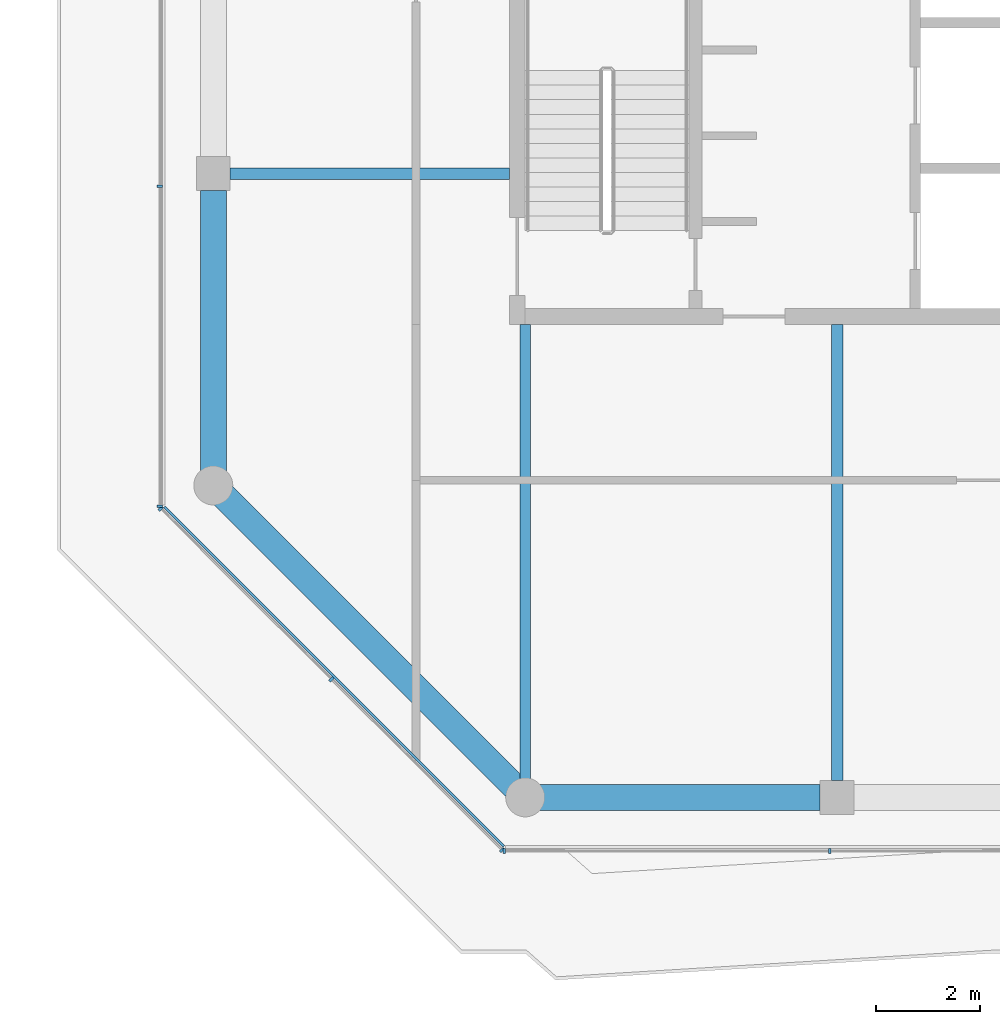
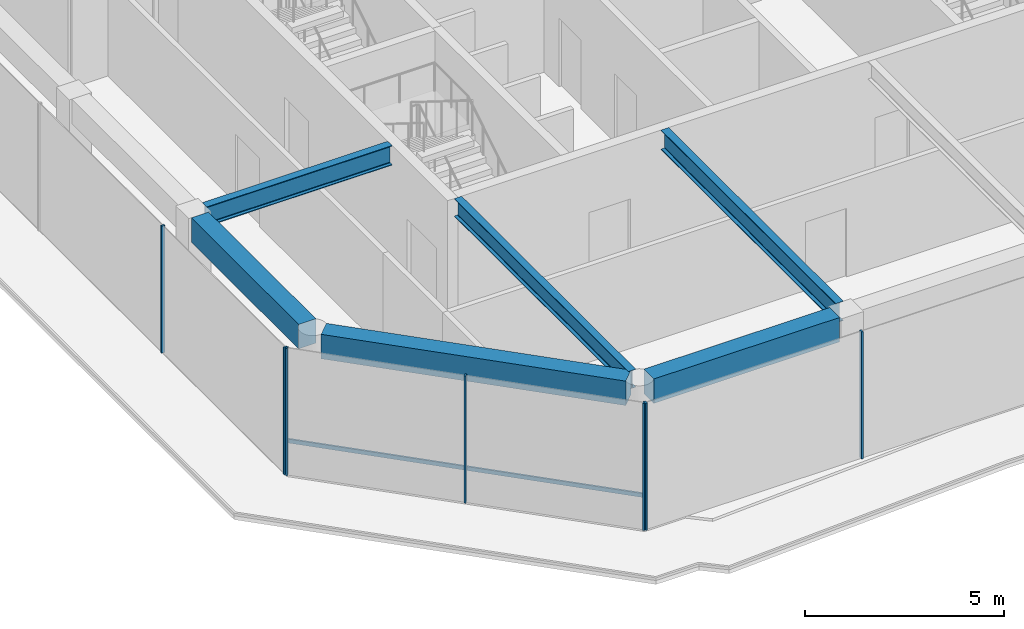
# One storey, part 2 of 22: 8 members, 6 beams, 3 elements without a shape of their own.
"""IFC4 building model written with IfcOpenShell, lengths in metres."""

import ifcopenshell
import ifcopenshell.guid

model = None  # the IFC model being written
_history = None  # IfcOwnerHistory: only IFC2X3 demands one
_inside = {}  # id of a spatial element -> (the spatial element, [elements in it])
_under = {}  # id of a project, library or spatial element -> (it, [spatial elements below it])
_declared = {}  # id of a project -> (the project, [libraries it declares])
_typed = {}  # id of a type object -> (the type object, [elements of that type])
_made_of = {}  # id of a material, layer set ... -> (it, [elements and type objects made of it])


def new_model(schema):
    """Start an empty IFC model of exactly this schema.

    Asked for "IFC4X3", IfcOpenShell would pick the latest addendum, in which some entities
    have other attributes; the version numbers below select the first issue.
    IFC2X3 requires an IfcOwnerHistory on every rooted entity: one is made here for all.
    """
    global model, _history
    if schema == "IFC4X3":
        model = ifcopenshell.file(schema_version=(4, 3, 0, 0))
    else:
        model = ifcopenshell.file(schema=schema)
    _inside.clear()
    _under.clear()
    _declared.clear()
    _typed.clear()
    _made_of.clear()
    _history = None
    if model.schema == "IFC2X3":
        org = make("IfcOrganization", Name="unknown")
        user = make(
            "IfcPersonAndOrganization",
            ThePerson=make("IfcPerson", FamilyName="unknown"),
            TheOrganization=org,
        )
        app = make(
            "IfcApplication",
            ApplicationDeveloper=org,
            Version="unknown",
            ApplicationFullName="unknown",
            ApplicationIdentifier="unknown",
        )
        _history = make(
            "IfcOwnerHistory",
            OwningUser=user,
            OwningApplication=app,
            ChangeAction="ADDED",
            CreationDate=0,
        )
    return model


def make(cls, **values):
    """One entity of the class cls with the attributes given. An attribute that is None is left unset."""
    return model.create_entity(
        cls, **{name: value for name, value in values.items() if value is not None}
    )


def rooted(cls, **values):
    """An entity with a GlobalId (a new one), such as an element, a storey or a relation."""
    return make(cls, GlobalId=ifcopenshell.guid.new(), OwnerHistory=_history, **values)


def si_unit(unit_type, name, prefix=None):
    """IfcSIUnit, for example si_unit("LENGTHUNIT", "METRE", prefix="MILLI")."""
    return make("IfcSIUnit", UnitType=unit_type, Prefix=prefix, Name=name)


def assignment(units):
    """IfcUnitAssignment: the units of a project."""
    return None if units is None else make("IfcUnitAssignment", Units=units)


def point(xyz):
    """IfcCartesianPoint."""
    return None if xyz is None else make("IfcCartesianPoint", Coordinates=xyz)


def direction(xyz):
    """IfcDirection."""
    return None if xyz is None else make("IfcDirection", DirectionRatios=xyz)


def frame(location, z_axis=None, x_axis=None):
    """IfcAxis2Placement3D, a coordinate frame: its origin and axes. An axis left out is left unset."""
    return make(
        "IfcAxis2Placement3D",
        Location=point(location),
        Axis=direction(z_axis),
        RefDirection=direction(x_axis),
    )


def frame_2d(location, x_axis=None):
    """IfcAxis2Placement2D, a coordinate frame in the plane: its origin and x axis."""
    return make(
        "IfcAxis2Placement2D", Location=point(location), RefDirection=direction(x_axis)
    )


def origin():
    """The frame at (0, 0, 0) with its axes left unset."""
    return frame((0.0, 0.0, 0.0))


def origin_2d():
    """The frame at (0, 0) in the plane with its x axis left unset."""
    return frame_2d((0.0, 0.0))


def place(relative_to, where):
    """IfcLocalPlacement: puts the frame where relative to a parent placement (None: the world)."""
    return make(
        "IfcLocalPlacement", PlacementRelTo=relative_to, RelativePlacement=where
    )


def context(
    kind, dimensions, precision=None, world=None, true_north=None, identifier=None
):
    """IfcGeometricRepresentationContext, for example the 3D "Model" context."""
    return make(
        "IfcGeometricRepresentationContext",
        ContextIdentifier=identifier,
        ContextType=kind,
        CoordinateSpaceDimension=dimensions,
        Precision=precision,
        WorldCoordinateSystem=world,
        TrueNorth=true_north,
    )


def subcontext(parent, identifier, kind, view, scale=None):
    """IfcGeometricRepresentationSubContext, for example "Body" below "Model"."""
    return make(
        "IfcGeometricRepresentationSubContext",
        ContextIdentifier=identifier,
        ContextType=kind,
        ParentContext=parent,
        TargetScale=scale,
        TargetView=view,
    )


def project(units=None, contexts=None):
    """IfcProject with its units and contexts."""
    return rooted(
        "IfcProject",
        Name="project",
        RepresentationContexts=contexts,
        UnitsInContext=assignment(units),
    )


def spatial(cls, under=None, at=None, **own):
    """A site, building, storey or space (cls), placed at a placement, below another one or the project."""
    s = rooted(cls, ObjectPlacement=at, **own)
    if under is not None:
        _under.setdefault(under.id(), (under, []))[1].append(s)
    return s


def profile(cls, at=None, kind="AREA", **sizes):
    """A parametric profile (cls). Its sizes go by their IFC names, for example OverallWidth=200.0."""
    return make(cls, ProfileType=kind, Position=at, **sizes)


def rectangle(**sizes):
    """IfcRectangleProfileDef."""
    return profile("IfcRectangleProfileDef", **sizes)


def i_section(**sizes):
    """IfcIShapeProfileDef."""
    return profile("IfcIShapeProfileDef", **sizes)


def extrude(swept, where, along, depth):
    """IfcExtrudedAreaSolid: the profile swept, set in the frame where, extruded along a direction by depth."""
    return make(
        "IfcExtrudedAreaSolid",
        SweptArea=swept,
        Position=where,
        ExtrudedDirection=direction(along),
        Depth=depth,
    )


def shape(context_of_items, identifier, shape_type, items):
    """IfcShapeRepresentation: the items that make up one representation, for example the "Body"."""
    return make(
        "IfcShapeRepresentation",
        ContextOfItems=context_of_items,
        RepresentationIdentifier=identifier,
        RepresentationType=shape_type,
        Items=items,
    )


def material(Name=None, Category=None):
    """IfcMaterial."""
    return make("IfcMaterial", Name=Name, Category=Category)


def layer(
    of_material, thickness, ventilated=None, Name=None, Category=None, Priority=None
):
    """IfcMaterialLayer: one layer of a wall or slab, of a material (None: an air gap)."""
    return make(
        "IfcMaterialLayer",
        Material=of_material,
        LayerThickness=thickness,
        IsVentilated=ventilated,
        Name=Name,
        Category=Category,
        Priority=Priority,
    )


def layer_set(layers, Name=None):
    """IfcMaterialLayerSet."""
    return make("IfcMaterialLayerSet", MaterialLayers=layers, LayerSetName=Name)


def material_profile(
    of_material, cross_section, Name=None, Category=None, Priority=None
):
    """IfcMaterialProfile: a cross section and its material."""
    return make(
        "IfcMaterialProfile",
        Name=Name,
        Material=of_material,
        Profile=cross_section,
        Priority=Priority,
        Category=Category,
    )


def profile_set(profiles, Name=None, composite=None):
    """IfcMaterialProfileSet."""
    return make(
        "IfcMaterialProfileSet",
        Name=Name,
        MaterialProfiles=profiles,
        CompositeProfile=composite,
    )


def made_of(thing, what):
    """Note that an element or type object is made of a material, layer set ...; save() writes the relation."""
    if what is not None:
        _made_of.setdefault(what.id(), (what, []))[1].append(thing)
    return thing


def type_object(cls, material=None, **own):
    """A type object (cls), such as IfcWallType, which elements share."""
    return made_of(rooted(cls, **own), material)


def element(
    cls,
    number,
    at=None,
    inside=None,
    cuts=None,
    type_object=None,
    material=None,
    context=None,
    identifier="Body",
    shape_type=None,
    held_by="IfcProductDefinitionShape",
    body=None,
    shapes=None,
    **own,
):
    """One element of the class cls, such as IfcWall. Its Tag is "e" and its number.

    at: its placement. inside: the storey or other place that contains it. cuts: it is an
    opening in that element (IfcRelVoidsElement). A single representation is given by context,
    identifier, shape_type and body (its items); several are given by shapes. held_by: the class
    of the entity that holds the representations. save() writes the other relations.
    """
    e = rooted(cls, Tag="e%d" % number, ObjectPlacement=at, **own)
    if body is not None:
        shapes = [shape(context, identifier, shape_type, body)]
    if shapes is not None:
        e.Representation = make(held_by, Representations=shapes)
    if inside is not None:
        _inside.setdefault(inside.id(), (inside, []))[1].append(e)
    if cuts is not None:
        rooted(
            "IfcRelVoidsElement", RelatingBuildingElement=cuts, RelatedOpeningElement=e
        )
    if type_object is not None:
        _typed.setdefault(type_object.id(), (type_object, []))[1].append(e)
    return made_of(e, material)


def aggregate(whole, parts):
    """IfcRelAggregates: a whole, such as a stair, and the parts it consists of."""
    return rooted("IfcRelAggregates", RelatingObject=whole, RelatedObjects=parts)


def save(model, path):
    """Write the relations noted so far, then the file.

    IfcRelAggregates (storeys below a building ...), IfcRelContainedInSpatialStructure (elements
    in a storey), IfcRelDefinesByType, IfcRelAssociatesMaterial and IfcRelDeclares: one each for
    every whole, place, type object, material and project.
    """
    for whole, parts in _under.values():
        aggregate(whole, parts)
    for where, things in _inside.values():
        rooted(
            "IfcRelContainedInSpatialStructure",
            RelatedElements=things,
            RelatingStructure=where,
        )
    for kind, things in _typed.values():
        rooted("IfcRelDefinesByType", RelatedObjects=things, RelatingType=kind)
    for what, things in _made_of.values():
        rooted("IfcRelAssociatesMaterial", RelatedObjects=things, RelatingMaterial=what)
    for by, libraries in _declared.values():
        rooted("IfcRelDeclares", RelatingContext=by, RelatedDefinitions=libraries)
    model.write(path)


model = new_model("IFC4")

# Units and contexts
model_context = context("Model", 3, precision=1e-05, world=origin(), true_north=direction((0.0, 1.0)))
body_context = subcontext(model_context, "Body", "Model", "MODEL_VIEW")
ifc_project = project(units=[si_unit("LENGTHUNIT", "METRE"), si_unit("AREAUNIT", "SQUARE_METRE"), si_unit("VOLUMEUNIT", "CUBIC_METRE"), si_unit("PLANEANGLEUNIT", "RADIAN"), si_unit("MASSUNIT", "GRAM", prefix="KILO")], contexts=[model_context])

# Site, building, storey
site_placement = place(None, origin())
site = spatial("IfcSite", under=ifc_project, at=site_placement, CompositionType="ELEMENT")
building_placement = place(site_placement, origin())
building = spatial("IfcBuilding", under=site, at=building_placement, Name="Welwitschia Terrace Campus", CompositionType="ELEMENT")
storey_placement = place(building_placement, frame((0.0, 0.0, 318.800048828125)))
storey = spatial("IfcBuildingStorey", under=building, at=storey_placement, Name="L71", CompositionType="ELEMENT", Elevation=318.800048828125)

# Beam
ifc_material_1 = material(Name="Steel S355", Category="steel")
ifc_material_profile_1 = material_profile(ifc_material_1, i_section(OverallWidth=0.2099609375, OverallDepth=0.550048828125, WebThickness=0.010986328125, FlangeThickness=0.01708984375, FilletRadius=0.02392578125, at=origin_2d()))
ifc_profile_set_1 = profile_set([ifc_material_profile_1], Name="Steel S355")
beam_type_1 = type_object("IfcBeamType", Name="Interior girder IPE 550", PredefinedType="BEAM", material=ifc_profile_set_1)
beam_1_placement = place(storey_placement, frame((6.0, -3.6494140625, 3.625), z_axis=(0.0, 1.0, 0.0), x_axis=(-1.0, 0.0, 0.0)))
element("IfcBeam", 1, at=beam_1_placement, inside=storey, type_object=beam_type_1, Name="Girder GB7", PredefinedType="BEAM", context=body_context, shape_type="SweptSolid", body=[
    extrude(i_section(OverallWidth=0.2099609375, OverallDepth=0.550048828125, WebThickness=0.010986328125, FlangeThickness=0.01708984375, FilletRadius=0.02392578125, at=origin_2d()), origin(), (0.0, 0.0, 1.0), 8.74853515625),
])

# Curtain wall, members
ifc_material_2 = material(Name="Bronze anodised aluminium", Category="aluminium")
ifc_layer = layer(ifc_material_2, 0.10009765625)
ifc_layer_set = layer_set([ifc_layer], Name="Bronze anodised aluminium")
curtain_wall_type = type_object("IfcCurtainWallType", Name="Curtain wall CW5 crown 6000", PredefinedType="NOTDEFINED", material=ifc_layer_set)
curtain_wall_1_placement = place(storey_placement, origin())
curtain_wall_1 = element("IfcCurtainWall", 2, at=curtain_wall_1_placement, inside=storey, type_object=curtain_wall_type, Name="CW L71.0.0", PredefinedType="NOTDEFINED")
ifc_material_3 = material(Name="Bronze anodised aluminium", Category="aluminium")
ifc_material_profile_2 = material_profile(ifc_material_3, rectangle(XDim=0.10009765625, YDim=0.050048828125, at=origin_2d()))
ifc_profile_set_2 = profile_set([ifc_material_profile_2], Name="Bronze anodised aluminium")
member_type_1 = type_object("IfcMemberType", Name="Mullion 50x100", PredefinedType="MULLION", material=ifc_profile_set_2)
member_1_placement = place(storey_placement, frame((-1.01220703125, 1.5556640625, 0.0), z_axis=(0.0, 0.0, 1.0), x_axis=(0.707106781187, 0.707106781187, 0.0)))
member_1 = element("IfcMember", 3, at=member_1_placement, type_object=member_type_1, Name="Mullion L71.0.0.0", PredefinedType="MULLION", context=body_context, shape_type="SweptSolid", body=[
    extrude(rectangle(XDim=0.10009765625, YDim=0.050048828125, at=origin_2d()), origin(), (0.0, 0.0, 1.0), 3.89990234375),
])
member_2_placement = place(storey_placement, frame((2.271728515625, -1.728271484375, 0.0), z_axis=(0.0, 0.0, 1.0), x_axis=(0.707106781187, 0.707106781187, 0.0)))
member_2 = element("IfcMember", 4, at=member_2_placement, type_object=member_type_1, Name="Mullion L71.0.0.1", PredefinedType="MULLION", context=body_context, shape_type="SweptSolid", body=[
    extrude(rectangle(XDim=0.10009765625, YDim=0.050048828125, at=origin_2d()), origin(), (0.0, 0.0, 1.0), 3.89990234375),
])
member_3_placement = place(storey_placement, frame((5.5556640625, -5.01220703125, 0.0), z_axis=(0.0, 0.0, 1.0), x_axis=(0.707106781187, 0.707106781187, 0.0)))
member_3 = element("IfcMember", 5, at=member_3_placement, type_object=member_type_1, Name="Mullion L71.0.0.2", PredefinedType="MULLION", context=body_context, shape_type="SweptSolid", body=[
    extrude(rectangle(XDim=0.10009765625, YDim=0.050048828125, at=origin_2d()), origin(), (0.0, 0.0, 1.0), 3.89990234375),
])

curtain_wall_2_placement = place(storey_placement, origin())
curtain_wall_2 = element("IfcCurtainWall", 6, at=curtain_wall_2_placement, inside=storey, type_object=curtain_wall_type, Name="CW L71.1.0", PredefinedType="NOTDEFINED")
member_4_placement = place(storey_placement, frame((5.598388671875, -5.030029296875, 0.0), z_axis=(0.0, 0.0, 1.0), x_axis=(0.0, 1.0, 0.0)))
member_4 = element("IfcMember", 7, at=member_4_placement, type_object=member_type_1, Name="Mullion L71.1.0.0", PredefinedType="MULLION", context=body_context, shape_type="SweptSolid", body=[
    extrude(rectangle(XDim=0.10009765625, YDim=0.050048828125, at=origin_2d()), origin(), (0.0, 0.0, 1.0), 3.89990234375),
])
member_5_placement = place(storey_placement, frame((11.857666015625, -5.030029296875, 0.0), z_axis=(0.0, 0.0, 1.0), x_axis=(0.0, 1.0, 0.0)))
member_5 = element("IfcMember", 8, at=member_5_placement, type_object=member_type_1, Name="Mullion L71.1.0.1", PredefinedType="MULLION", context=body_context, shape_type="SweptSolid", body=[
    extrude(rectangle(XDim=0.10009765625, YDim=0.050048828125, at=origin_2d()), origin(), (0.0, 0.0, 1.0), 3.89990234375),
])
aggregate(curtain_wall_2, [member_4, member_5])

curtain_wall_3_placement = place(storey_placement, origin())
curtain_wall_3 = element("IfcCurtainWall", 9, at=curtain_wall_3_placement, inside=storey, type_object=curtain_wall_type, Name="CW L71.7.0", PredefinedType="NOTDEFINED")
member_6_placement = place(storey_placement, frame((-1.030029296875, 7.75537109375, 0.0), z_axis=(0.0, 0.0, 1.0), x_axis=(1.0, 0.0, 0.0)))
member_6 = element("IfcMember", 10, at=member_6_placement, type_object=member_type_1, Name="Mullion L71.7.0.7", PredefinedType="MULLION", context=body_context, shape_type="SweptSolid", body=[
    extrude(rectangle(XDim=0.10009765625, YDim=0.050048828125, at=origin_2d()), origin(), (0.0, 0.0, 1.0), 3.89990234375),
])
member_7_placement = place(storey_placement, frame((-1.030029296875, 1.598388671875, 0.0), z_axis=(0.0, 0.0, 1.0), x_axis=(1.0, 0.0, 0.0)))
member_7 = element("IfcMember", 11, at=member_7_placement, type_object=member_type_1, Name="Mullion L71.7.0.8", PredefinedType="MULLION", context=body_context, shape_type="SweptSolid", body=[
    extrude(rectangle(XDim=0.10009765625, YDim=0.050048828125, at=origin_2d()), origin(), (0.0, 0.0, 1.0), 3.89990234375),
])
aggregate(curtain_wall_3, [member_6, member_7])

# Beams
ifc_material_4 = material(Name="Steel S355", Category="steel")
ifc_material_profile_3 = material_profile(ifc_material_4, i_section(OverallWidth=0.219970703125, OverallDepth=0.60009765625, WebThickness=0.011962890625, FlangeThickness=0.01904296875, FilletRadius=0.02392578125, at=origin_2d()))
ifc_profile_set_3 = profile_set([ifc_material_profile_3], Name="Steel S355")
beam_type_2 = type_object("IfcBeamType", Name="Primary beam IPE 600", PredefinedType="BEAM", material=ifc_profile_set_3)
beam_2_placement = place(storey_placement, frame((12.0, -3.674560546875, 3.599853515625), z_axis=(0.0, 1.0, 0.0), x_axis=(-1.0, 0.0, 0.0)))
element("IfcBeam", 12, at=beam_2_placement, inside=storey, type_object=beam_type_2, Name="Primary beam PB7", PredefinedType="BEAM", context=body_context, shape_type="SweptSolid", body=[
    extrude(i_section(OverallWidth=0.219970703125, OverallDepth=0.60009765625, WebThickness=0.011962890625, FlangeThickness=0.01904296875, FilletRadius=0.02392578125, at=origin_2d()), origin(), (0.0, 0.0, 1.0), 8.774658203125),
])
beam_3_placement = place(storey_placement, frame((0.325439453125, 8.0, 3.599853515625), z_axis=(1.0, 0.0, 0.0), x_axis=(0.0, 1.0, 0.0)))
element("IfcBeam", 13, at=beam_3_placement, inside=storey, type_object=beam_type_2, Name="Primary beam PB7", PredefinedType="BEAM", context=body_context, shape_type="SweptSolid", body=[
    extrude(i_section(OverallWidth=0.219970703125, OverallDepth=0.60009765625, WebThickness=0.011962890625, FlangeThickness=0.01904296875, FilletRadius=0.02392578125, at=origin_2d()), origin(), (0.0, 0.0, 1.0), 5.37451171875),
])
ifc_material_5 = material(Name="Concrete C40/50", Category="concrete")
ifc_material_profile_4 = material_profile(ifc_material_5, rectangle(XDim=0.5, YDim=0.75, at=origin_2d()))
ifc_profile_set_4 = profile_set([ifc_material_profile_4], Name="Concrete C40/50")
beam_type_3 = type_object("IfcBeamType", Name="Ring spandrel 500x750", PredefinedType="SPANDREL", material=ifc_profile_set_4)
beam_4_placement = place(storey_placement, frame((0.1982421875, 1.8017578125, 3.52490234375), z_axis=(0.707106781187, -0.707106781187, 0.0), x_axis=(0.707106781187, 0.707106781187, 0.0)))
element("IfcBeam", 14, at=beam_4_placement, inside=storey, type_object=beam_type_3, Name="Spandrel SP5", PredefinedType="SPANDREL", context=body_context, shape_type="SweptSolid", body=[
    extrude(rectangle(XDim=0.5, YDim=0.75, at=origin_2d()), origin(), (0.0, 0.0, 1.0), 7.924560546875),
])
for number, where, z_axis, x_axis, name in (
    (15, (6.280517578125, -4.0, 3.52490234375), (1.0, 0.0, 0.0), (0.0, 1.0, 0.0), "Spandrel SP5"),
    (16, (0.0, 7.674560546875, 3.52490234375), (0.0, -1.0, 0.0), (1.0, 0.0, 0.0), "Spandrel SP5"),
):
    element("IfcBeam", number, at=place(storey_placement, frame(where, z_axis=z_axis, x_axis=x_axis)), inside=storey, type_object=beam_type_3, Name=name, PredefinedType="SPANDREL", context=body_context, shape_type="SweptSolid", body=[
        extrude(rectangle(XDim=0.5, YDim=0.75, at=origin_2d()), origin(), (0.0, 0.0, 1.0), 5.39404296875),
    ])

# Member
ifc_material_6 = material(Name="Bronze anodised aluminium", Category="aluminium")
ifc_material_profile_5 = material_profile(ifc_material_6, rectangle(XDim=0.050048828125, YDim=0.1201171875, at=origin_2d()))
ifc_profile_set_5 = profile_set([ifc_material_profile_5], Name="Bronze anodised aluminium")
member_type_2 = type_object("IfcMemberType", Name="Transom 50x120", PredefinedType="USERDEFINED", material=ifc_profile_set_5)
member_8_placement = place(storey_placement, frame((-0.941650390625, 1.591064453125, 1.0), z_axis=(0.707106781187, -0.707106781187, 0.0), x_axis=(0.707106781187, 0.707106781187, 0.0)))
member_8 = element("IfcMember", 17, at=member_8_placement, type_object=member_type_2, Name="Transom L71.0.0", ObjectType="TRANSOM", PredefinedType="USERDEFINED", context=body_context, shape_type="SweptSolid", body=[
    extrude(rectangle(XDim=0.050048828125, YDim=0.1201171875, at=origin_2d()), origin(), (0.0, 0.0, 1.0), 9.23876953125),
])

aggregate(curtain_wall_1, [member_1, member_2, member_3, member_8])

save(model, "model.ifc")
